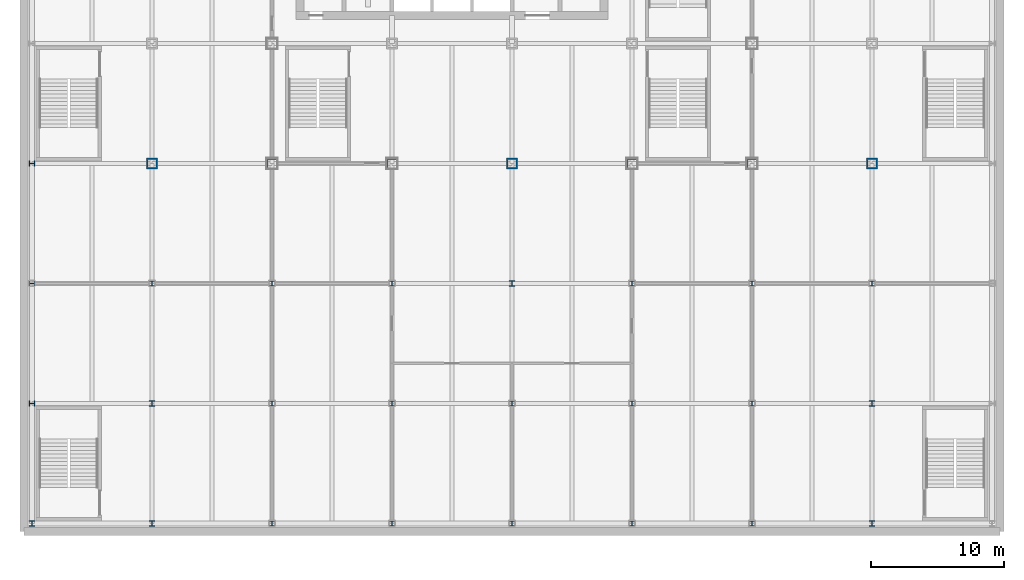
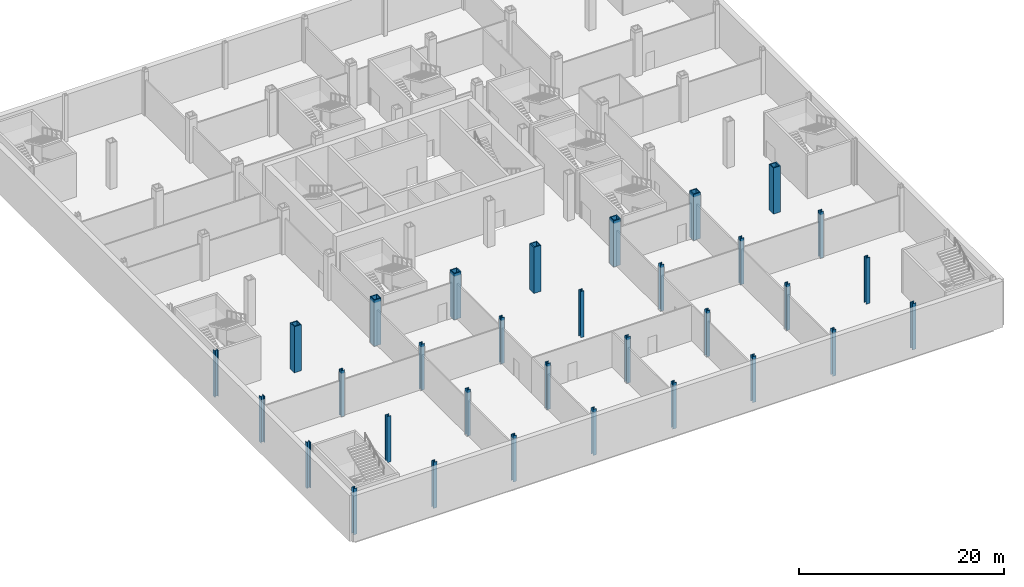
# One storey, part 1 of 27: 32 columns.
"""IFC4 building model written with IfcOpenShell, lengths in metres."""

from ifc_helpers import new_model, si_unit, direction, frame, origin, origin_2d, place, context, subcontext, project, spatial, hollow_rectangle, i_section, extrude, material, material_profile, profile_set, type_object, element, save


model = new_model("IFC4")

# Units and contexts
model_context = context("Model", 3, precision=1e-05, world=origin(), true_north=direction((0.0, 1.0)))
body_context = subcontext(model_context, "Body", "Model", "MODEL_VIEW")
ifc_project = project(units=[si_unit("LENGTHUNIT", "METRE"), si_unit("AREAUNIT", "SQUARE_METRE"), si_unit("VOLUMEUNIT", "CUBIC_METRE"), si_unit("PLANEANGLEUNIT", "RADIAN"), si_unit("MASSUNIT", "GRAM", prefix="KILO")], contexts=[model_context])

# Site, building, storey
site_placement = place(None, origin())
site = spatial("IfcSite", under=ifc_project, at=site_placement, CompositionType="ELEMENT")
building_placement = place(site_placement, origin())
building = spatial("IfcBuilding", under=site, at=building_placement, Name="Loomwork Tower", CompositionType="ELEMENT")
storey_placement = place(building_placement, frame((0.0, 0.0, -5.5)))
storey = spatial("IfcBuildingStorey", under=building, at=storey_placement, Name="B1", CompositionType="ELEMENT", Elevation=-5.5)

# Columns
ifc_material_1 = material(Name="Steel ASTM A572 Grade 50 plate", Category="steel")
ifc_material_profile_1 = material_profile(ifc_material_1, hollow_rectangle(XDim=0.800048828125, YDim=0.800048828125, WallThickness=0.10009765625, at=origin_2d()), Name="BOX800x100")
ifc_profile_set_1 = profile_set([ifc_material_profile_1], Name="Steel ASTM A572 Grade 50 plate")
column_type_1 = type_object("IfcColumnType", Name="EXOSKELETON PIER BOX800x100", PredefinedType="COLUMN", material=ifc_profile_set_1)
for number, where, z_axis, x_axis, name in (
    (1, (0.0, 0.0, 0.0), (0.0, 0.0, 1.0), (1.0, 0.0, 0.0), "Exoskeleton Pier D/2 B1"),
    (2, (9.0, 0.0, 0.0), (0.0, 0.0, 1.0), (1.0, 0.0, 0.0), "Exoskeleton Pier D/3 B1"),
    (3, (18.0, 0.0, 0.0), (0.0, 0.0, 1.0), (1.0, 0.0, 0.0), "Exoskeleton Pier D/4 B1"),
    (4, (27.0, 0.0, 0.0), (0.0, 0.0, 1.0), (1.0, 0.0, 0.0), "Exoskeleton Pier D/5 B1"),
    (5, (36.0, 0.0, 0.0), (0.0, 0.0, 1.0), (1.0, 0.0, 0.0), "Exoskeleton Pier D/6 B1"),
    (6, (45.0, 0.0, 0.0), (0.0, 0.0, 1.0), (1.0, 0.0, 0.0), "Exoskeleton Pier D/7 B1"),
    (7, (54.0, 0.0, 0.0), (0.0, 0.0, 1.0), (1.0, 0.0, 0.0), "Exoskeleton Pier D/8 B1"),
):
    element("IfcColumn", number, at=place(storey_placement, frame(where, z_axis=z_axis, x_axis=x_axis)), inside=storey, type_object=column_type_1, Name=name, PredefinedType="COLUMN", context=body_context, shape_type="SweptSolid", body=[
        extrude(hollow_rectangle(XDim=0.800048828125, YDim=0.800048828125, WallThickness=0.10009765625, at=origin_2d()), origin(), (0.0, 0.0, 1.0), 5.5),
    ])
ifc_material_2 = material(Name="Steel ASTM A992", Category="steel")
ifc_material_profile_2 = material_profile(ifc_material_2, i_section(OverallWidth=0.4013671875, OverallDepth=0.398681640625, WebThickness=0.02490234375, FlangeThickness=0.03955078125, at=origin_2d()), Name="W14x211")
ifc_profile_set_2 = profile_set([ifc_material_profile_2], Name="Steel ASTM A992")
column_type_2 = type_object("IfcColumnType", Name="PODIUM COLUMN W14x211", PredefinedType="COLUMN", material=ifc_profile_set_2)
for number, where, z_axis, x_axis, name in (
    (8, (-9.0, -27.0, 0.0), (0.0, 0.0, 1.0), (1.0, 0.0, 0.0), "Podium Column A/1 B1"),
    (9, (-9.0, -18.0, 0.0), (0.0, 0.0, 1.0), (0.0, 1.0, 0.0), "Podium Column B/1 B1"),
    (10, (-9.0, -9.0, 0.0), (0.0, 0.0, 1.0), (0.0, 1.0, 0.0), "Podium Column C/1 B1"),
    (11, (-9.0, 0.0, 0.0), (0.0, 0.0, 1.0), (0.0, 1.0, 0.0), "Podium Column D/1 B1"),
    (12, (0.0, -27.0, 0.0), (0.0, 0.0, 1.0), (1.0, 0.0, 0.0), "Podium Column A/2 B1"),
    (13, (0.0, -18.0, 0.0), (0.0, 0.0, 1.0), (1.0, 0.0, 0.0), "Podium Column B/2 B1"),
    (14, (0.0, -9.0, 0.0), (0.0, 0.0, 1.0), (1.0, 0.0, 0.0), "Podium Column C/2 B1"),
    (15, (9.0, -27.0, 0.0), (0.0, 0.0, 1.0), (1.0, 0.0, 0.0), "Podium Column A/3 B1"),
    (16, (9.0, -18.0, 0.0), (0.0, 0.0, 1.0), (1.0, 0.0, 0.0), "Podium Column B/3 B1"),
    (17, (9.0, -9.0, 0.0), (0.0, 0.0, 1.0), (1.0, 0.0, 0.0), "Podium Column C/3 B1"),
    (18, (18.0, -27.0, 0.0), (0.0, 0.0, 1.0), (1.0, 0.0, 0.0), "Podium Column A/4 B1"),
    (19, (18.0, -18.0, 0.0), (0.0, 0.0, 1.0), (1.0, 0.0, 0.0), "Podium Column B/4 B1"),
    (20, (18.0, -9.0, 0.0), (0.0, 0.0, 1.0), (1.0, 0.0, 0.0), "Podium Column C/4 B1"),
    (21, (27.0, -27.0, 0.0), (0.0, 0.0, 1.0), (1.0, 0.0, 0.0), "Podium Column A/5 B1"),
    (22, (27.0, -18.0, 0.0), (0.0, 0.0, 1.0), (1.0, 0.0, 0.0), "Podium Column B/5 B1"),
    (23, (27.0, -9.0, 0.0), (0.0, 0.0, 1.0), (1.0, 0.0, 0.0), "Podium Column C/5 B1"),
    (24, (36.0, -27.0, 0.0), (0.0, 0.0, 1.0), (1.0, 0.0, 0.0), "Podium Column A/6 B1"),
    (25, (36.0, -18.0, 0.0), (0.0, 0.0, 1.0), (1.0, 0.0, 0.0), "Podium Column B/6 B1"),
    (26, (36.0, -9.0, 0.0), (0.0, 0.0, 1.0), (1.0, 0.0, 0.0), "Podium Column C/6 B1"),
    (27, (45.0, -18.0, 0.0), (0.0, 0.0, 1.0), (1.0, 0.0, 0.0), "Podium Column B/7 B1"),
    (28, (45.0, -9.0, 0.0), (0.0, 0.0, 1.0), (1.0, 0.0, 0.0), "Podium Column C/7 B1"),
    (29, (54.0, -18.0, 0.0), (0.0, 0.0, 1.0), (1.0, 0.0, 0.0), "Podium Column B/8 B1"),
    (30, (54.0, -9.0, 0.0), (0.0, 0.0, 1.0), (1.0, 0.0, 0.0), "Podium Column C/8 B1"),
):
    element("IfcColumn", number, at=place(storey_placement, frame(where, z_axis=z_axis, x_axis=x_axis)), inside=storey, type_object=column_type_2, Name=name, PredefinedType="COLUMN", context=body_context, shape_type="SweptSolid", body=[
        extrude(i_section(OverallWidth=0.4013671875, OverallDepth=0.398681640625, WebThickness=0.02490234375, FlangeThickness=0.03955078125, at=origin_2d()), origin(), (0.0, 0.0, 1.0), 5.5),
    ])
ifc_material_3 = material(Name="Steel ASTM A992", Category="steel")
ifc_material_profile_3 = material_profile(ifc_material_3, i_section(OverallWidth=0.408935546875, OverallDepth=0.424072265625, WebThickness=0.03271484375, FlangeThickness=0.052490234375, at=origin_2d()), Name="W14x283")
ifc_profile_set_3 = profile_set([ifc_material_profile_3], Name="Steel ASTM A992")
column_type_3 = type_object("IfcColumnType", Name="PODIUM COLUMN W14x283", PredefinedType="COLUMN", material=ifc_profile_set_3)
for number, where, z_axis, x_axis, name in (
    (31, (45.0, -27.0, 0.0), (0.0, 0.0, 1.0), (1.0, 0.0, 0.0), "Podium Column A/7 B1"),
    (32, (54.0, -27.0, 0.0), (0.0, 0.0, 1.0), (1.0, 0.0, 0.0), "Podium Column A/8 B1"),
):
    element("IfcColumn", number, at=place(storey_placement, frame(where, z_axis=z_axis, x_axis=x_axis)), inside=storey, type_object=column_type_3, Name=name, PredefinedType="COLUMN", context=body_context, shape_type="SweptSolid", body=[
        extrude(i_section(OverallWidth=0.408935546875, OverallDepth=0.424072265625, WebThickness=0.03271484375, FlangeThickness=0.052490234375, at=origin_2d()), origin(), (0.0, 0.0, 1.0), 5.5),
    ])

save(model, "model.ifc")
